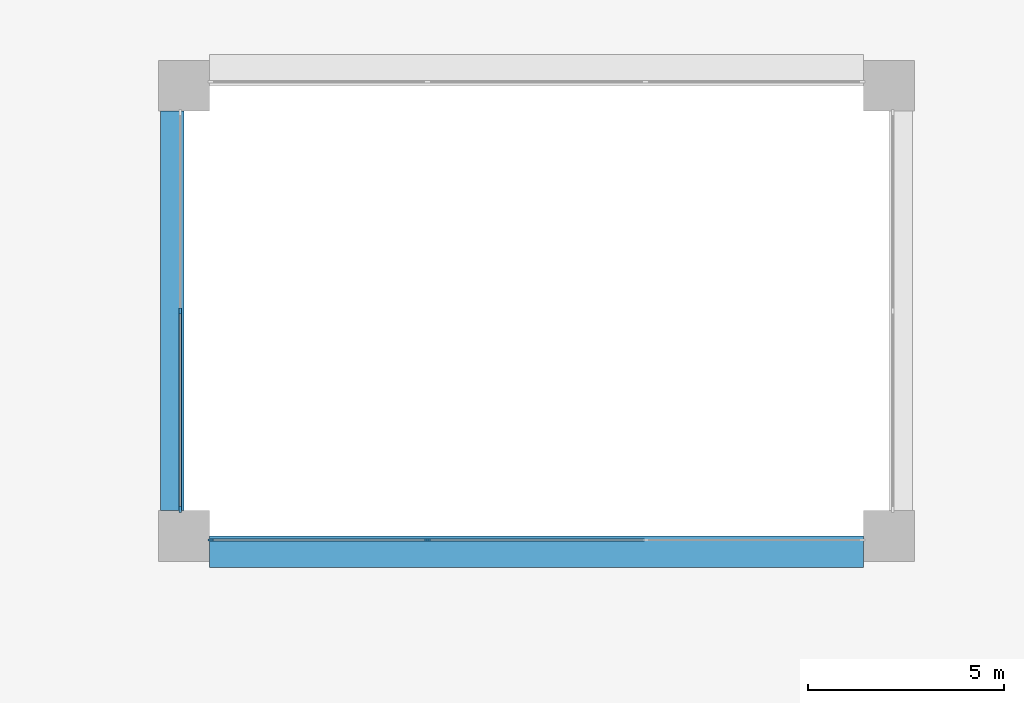
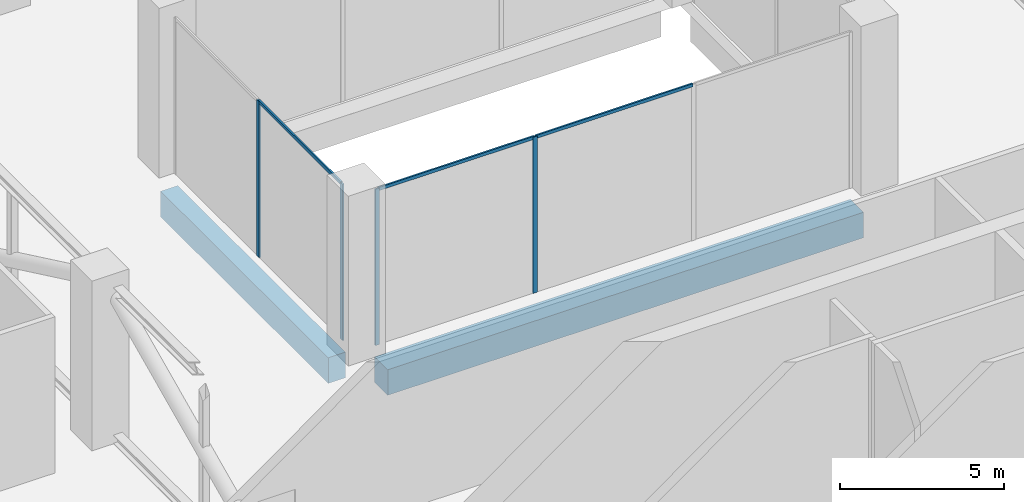
# One storey, part 3 of 14: 7 members, 2 beams, 2 elements without a shape of their own.
"""IFC4 building model written with IfcOpenShell, lengths in metres."""

import ifcopenshell
import ifcopenshell.guid

model = None  # the IFC model being written
_history = None  # IfcOwnerHistory: only IFC2X3 demands one
_inside = {}  # id of a spatial element -> (the spatial element, [elements in it])
_under = {}  # id of a project, library or spatial element -> (it, [spatial elements below it])
_declared = {}  # id of a project -> (the project, [libraries it declares])
_typed = {}  # id of a type object -> (the type object, [elements of that type])
_made_of = {}  # id of a material, layer set ... -> (it, [elements and type objects made of it])


def new_model(schema):
    """Start an empty IFC model of exactly this schema.

    Asked for "IFC4X3", IfcOpenShell would pick the latest addendum, in which some entities
    have other attributes; the version numbers below select the first issue.
    IFC2X3 requires an IfcOwnerHistory on every rooted entity: one is made here for all.
    """
    global model, _history
    if schema == "IFC4X3":
        model = ifcopenshell.file(schema_version=(4, 3, 0, 0))
    else:
        model = ifcopenshell.file(schema=schema)
    _inside.clear()
    _under.clear()
    _declared.clear()
    _typed.clear()
    _made_of.clear()
    _history = None
    if model.schema == "IFC2X3":
        org = make("IfcOrganization", Name="unknown")
        user = make(
            "IfcPersonAndOrganization",
            ThePerson=make("IfcPerson", FamilyName="unknown"),
            TheOrganization=org,
        )
        app = make(
            "IfcApplication",
            ApplicationDeveloper=org,
            Version="unknown",
            ApplicationFullName="unknown",
            ApplicationIdentifier="unknown",
        )
        _history = make(
            "IfcOwnerHistory",
            OwningUser=user,
            OwningApplication=app,
            ChangeAction="ADDED",
            CreationDate=0,
        )
    return model


def make(cls, **values):
    """One entity of the class cls with the attributes given. An attribute that is None is left unset."""
    return model.create_entity(
        cls, **{name: value for name, value in values.items() if value is not None}
    )


def rooted(cls, **values):
    """An entity with a GlobalId (a new one), such as an element, a storey or a relation."""
    return make(cls, GlobalId=ifcopenshell.guid.new(), OwnerHistory=_history, **values)


def si_unit(unit_type, name, prefix=None):
    """IfcSIUnit, for example si_unit("LENGTHUNIT", "METRE", prefix="MILLI")."""
    return make("IfcSIUnit", UnitType=unit_type, Prefix=prefix, Name=name)


def assignment(units):
    """IfcUnitAssignment: the units of a project."""
    return None if units is None else make("IfcUnitAssignment", Units=units)


def point(xyz):
    """IfcCartesianPoint."""
    return None if xyz is None else make("IfcCartesianPoint", Coordinates=xyz)


def direction(xyz):
    """IfcDirection."""
    return None if xyz is None else make("IfcDirection", DirectionRatios=xyz)


def frame(location, z_axis=None, x_axis=None):
    """IfcAxis2Placement3D, a coordinate frame: its origin and axes. An axis left out is left unset."""
    return make(
        "IfcAxis2Placement3D",
        Location=point(location),
        Axis=direction(z_axis),
        RefDirection=direction(x_axis),
    )


def frame_2d(location, x_axis=None):
    """IfcAxis2Placement2D, a coordinate frame in the plane: its origin and x axis."""
    return make(
        "IfcAxis2Placement2D", Location=point(location), RefDirection=direction(x_axis)
    )


def origin():
    """The frame at (0, 0, 0) with its axes left unset."""
    return frame((0.0, 0.0, 0.0))


def origin_2d():
    """The frame at (0, 0) in the plane with its x axis left unset."""
    return frame_2d((0.0, 0.0))


def place(relative_to, where):
    """IfcLocalPlacement: puts the frame where relative to a parent placement (None: the world)."""
    return make(
        "IfcLocalPlacement", PlacementRelTo=relative_to, RelativePlacement=where
    )


def context(
    kind, dimensions, precision=None, world=None, true_north=None, identifier=None
):
    """IfcGeometricRepresentationContext, for example the 3D "Model" context."""
    return make(
        "IfcGeometricRepresentationContext",
        ContextIdentifier=identifier,
        ContextType=kind,
        CoordinateSpaceDimension=dimensions,
        Precision=precision,
        WorldCoordinateSystem=world,
        TrueNorth=true_north,
    )


def subcontext(parent, identifier, kind, view, scale=None):
    """IfcGeometricRepresentationSubContext, for example "Body" below "Model"."""
    return make(
        "IfcGeometricRepresentationSubContext",
        ContextIdentifier=identifier,
        ContextType=kind,
        ParentContext=parent,
        TargetScale=scale,
        TargetView=view,
    )


def project(units=None, contexts=None):
    """IfcProject with its units and contexts."""
    return rooted(
        "IfcProject",
        Name="project",
        RepresentationContexts=contexts,
        UnitsInContext=assignment(units),
    )


def spatial(cls, under=None, at=None, **own):
    """A site, building, storey or space (cls), placed at a placement, below another one or the project."""
    s = rooted(cls, ObjectPlacement=at, **own)
    if under is not None:
        _under.setdefault(under.id(), (under, []))[1].append(s)
    return s


def profile(cls, at=None, kind="AREA", **sizes):
    """A parametric profile (cls). Its sizes go by their IFC names, for example OverallWidth=200.0."""
    return make(cls, ProfileType=kind, Position=at, **sizes)


def rectangle(**sizes):
    """IfcRectangleProfileDef."""
    return profile("IfcRectangleProfileDef", **sizes)


def extrude(swept, where, along, depth):
    """IfcExtrudedAreaSolid: the profile swept, set in the frame where, extruded along a direction by depth."""
    return make(
        "IfcExtrudedAreaSolid",
        SweptArea=swept,
        Position=where,
        ExtrudedDirection=direction(along),
        Depth=depth,
    )


def shape(context_of_items, identifier, shape_type, items):
    """IfcShapeRepresentation: the items that make up one representation, for example the "Body"."""
    return make(
        "IfcShapeRepresentation",
        ContextOfItems=context_of_items,
        RepresentationIdentifier=identifier,
        RepresentationType=shape_type,
        Items=items,
    )


def material(Name=None, Category=None):
    """IfcMaterial."""
    return make("IfcMaterial", Name=Name, Category=Category)


def layer(
    of_material, thickness, ventilated=None, Name=None, Category=None, Priority=None
):
    """IfcMaterialLayer: one layer of a wall or slab, of a material (None: an air gap)."""
    return make(
        "IfcMaterialLayer",
        Material=of_material,
        LayerThickness=thickness,
        IsVentilated=ventilated,
        Name=Name,
        Category=Category,
        Priority=Priority,
    )


def layer_set(layers, Name=None):
    """IfcMaterialLayerSet."""
    return make("IfcMaterialLayerSet", MaterialLayers=layers, LayerSetName=Name)


def material_profile(
    of_material, cross_section, Name=None, Category=None, Priority=None
):
    """IfcMaterialProfile: a cross section and its material."""
    return make(
        "IfcMaterialProfile",
        Name=Name,
        Material=of_material,
        Profile=cross_section,
        Priority=Priority,
        Category=Category,
    )


def profile_set(profiles, Name=None, composite=None):
    """IfcMaterialProfileSet."""
    return make(
        "IfcMaterialProfileSet",
        Name=Name,
        MaterialProfiles=profiles,
        CompositeProfile=composite,
    )


def made_of(thing, what):
    """Note that an element or type object is made of a material, layer set ...; save() writes the relation."""
    if what is not None:
        _made_of.setdefault(what.id(), (what, []))[1].append(thing)
    return thing


def type_object(cls, material=None, **own):
    """A type object (cls), such as IfcWallType, which elements share."""
    return made_of(rooted(cls, **own), material)


def element(
    cls,
    number,
    at=None,
    inside=None,
    cuts=None,
    type_object=None,
    material=None,
    context=None,
    identifier="Body",
    shape_type=None,
    held_by="IfcProductDefinitionShape",
    body=None,
    shapes=None,
    **own,
):
    """One element of the class cls, such as IfcWall. Its Tag is "e" and its number.

    at: its placement. inside: the storey or other place that contains it. cuts: it is an
    opening in that element (IfcRelVoidsElement). A single representation is given by context,
    identifier, shape_type and body (its items); several are given by shapes. held_by: the class
    of the entity that holds the representations. save() writes the other relations.
    """
    e = rooted(cls, Tag="e%d" % number, ObjectPlacement=at, **own)
    if body is not None:
        shapes = [shape(context, identifier, shape_type, body)]
    if shapes is not None:
        e.Representation = make(held_by, Representations=shapes)
    if inside is not None:
        _inside.setdefault(inside.id(), (inside, []))[1].append(e)
    if cuts is not None:
        rooted(
            "IfcRelVoidsElement", RelatingBuildingElement=cuts, RelatedOpeningElement=e
        )
    if type_object is not None:
        _typed.setdefault(type_object.id(), (type_object, []))[1].append(e)
    return made_of(e, material)


def aggregate(whole, parts):
    """IfcRelAggregates: a whole, such as a stair, and the parts it consists of."""
    return rooted("IfcRelAggregates", RelatingObject=whole, RelatedObjects=parts)


def save(model, path):
    """Write the relations noted so far, then the file.

    IfcRelAggregates (storeys below a building ...), IfcRelContainedInSpatialStructure (elements
    in a storey), IfcRelDefinesByType, IfcRelAssociatesMaterial and IfcRelDeclares: one each for
    every whole, place, type object, material and project.
    """
    for whole, parts in _under.values():
        aggregate(whole, parts)
    for where, things in _inside.values():
        rooted(
            "IfcRelContainedInSpatialStructure",
            RelatedElements=things,
            RelatingStructure=where,
        )
    for kind, things in _typed.values():
        rooted("IfcRelDefinesByType", RelatedObjects=things, RelatingType=kind)
    for what, things in _made_of.values():
        rooted("IfcRelAssociatesMaterial", RelatedObjects=things, RelatingMaterial=what)
    for by, libraries in _declared.values():
        rooted("IfcRelDeclares", RelatingContext=by, RelatedDefinitions=libraries)
    model.write(path)


model = new_model("IFC4")

# Units and contexts
model_context = context("Model", 3, precision=1e-05, world=origin(), true_north=direction((0.0, 1.0)))
body_context = subcontext(model_context, "Body", "Model", "MODEL_VIEW")
ifc_project = project(units=[si_unit("LENGTHUNIT", "METRE"), si_unit("AREAUNIT", "SQUARE_METRE"), si_unit("VOLUMEUNIT", "CUBIC_METRE"), si_unit("PLANEANGLEUNIT", "RADIAN"), si_unit("MASSUNIT", "GRAM", prefix="KILO")], contexts=[model_context])

# Site, building, storey
site_placement = place(None, origin())
site = spatial("IfcSite", under=ifc_project, at=site_placement, CompositionType="ELEMENT")
building_placement = place(site_placement, origin())
building = spatial("IfcBuilding", under=site, at=building_placement, Name="Brigalow Station Residences", CompositionType="ELEMENT")
storey_placement = place(building_placement, frame((0.0, 0.0, 130.800048828125)))
storey = spatial("IfcBuildingStorey", under=building, at=storey_placement, Name="L38", CompositionType="ELEMENT", Elevation=130.800048828125)

# Beams
ifc_material_1 = material(Name="Concrete C65", Category="concrete")
ifc_material_profile_1 = material_profile(ifc_material_1, rectangle(XDim=0.60009765625, YDim=0.949951171875, at=origin_2d()), Name="RC600x950")
ifc_profile_set_1 = profile_set([ifc_material_profile_1], Name="Concrete C65")
beam_type_1 = type_object("IfcBeamType", Name="ATRIUM EDGE GIRDER 600x950 C65", PredefinedType="BEAM", material=ifc_profile_set_1)
beam_1_placement = place(storey_placement, frame((26.699951171875, 24.64990234375, -0.97509765625), z_axis=(0.0, 1.0, 0.0), x_axis=(-1.0, 0.0, 0.0)))
element("IfcBeam", 1, at=beam_1_placement, inside=storey, type_object=beam_type_1, Name="ATRIUM EDGE GIRDER 3 L38", PredefinedType="BEAM", context=body_context, shape_type="SweptSolid", body=[
    extrude(rectangle(XDim=0.60009765625, YDim=0.949951171875, at=origin_2d()), origin(), (0.0, 0.0, 1.0), 10.2001953125),
])
ifc_material_2 = material(Name="Concrete C65", Category="concrete")
ifc_material_profile_2 = material_profile(ifc_material_2, rectangle(XDim=0.800048828125, YDim=0.949951171875, at=origin_2d()), Name="RC800x950")
ifc_profile_set_2 = profile_set([ifc_material_profile_2], Name="Concrete C65")
beam_type_2 = type_object("IfcBeamType", Name="ATRIUM EDGE GIRDER OVER 13.5 M SPAN 800x950 C65", PredefinedType="BEAM", material=ifc_profile_set_2)
beam_2_placement = place(storey_placement, frame((27.64990234375, 23.60009765625, -0.97509765625), z_axis=(1.0, 0.0, 0.0), x_axis=(0.0, 1.0, 0.0)))
element("IfcBeam", 2, at=beam_2_placement, inside=storey, type_object=beam_type_2, Name="ATRIUM EDGE GIRDER C L38", PredefinedType="BEAM", context=body_context, shape_type="SweptSolid", body=[
    extrude(rectangle(XDim=0.800048828125, YDim=0.949951171875, at=origin_2d()), origin(), (0.0, 0.0, 1.0), 16.7001953125),
])

# Curtain wall, members
ifc_material_3 = material(Name="Aluminium", Category="aluminium")
ifc_layer = layer(ifc_material_3, 0.14990234375)
ifc_layer_set = layer_set([ifc_layer], Name="ATRIUM FIRE-RATED GLAZING CURTAIN WALL")
curtain_wall_type = type_object("IfcCurtainWallType", Name="ATRIUM FIRE-RATED GLAZING CURTAIN WALL", PredefinedType="NOTDEFINED", material=ifc_layer_set)
curtain_wall_1_placement = place(storey_placement, origin())
curtain_wall_1 = element("IfcCurtainWall", 3, at=curtain_wall_1_placement, inside=storey, type_object=curtain_wall_type, Name="L38/cw/atrium-S", PredefinedType="NOTDEFINED")
ifc_material_4 = material(Name="Aluminium", Category="aluminium")
ifc_material_profile_3 = material_profile(ifc_material_4, rectangle(XDim=0.06005859375, YDim=0.14990234375, at=origin_2d()), Name="ATRIUM FIRE-RATED GLAZING MULLION 60x150")
ifc_profile_set_3 = profile_set([ifc_material_profile_3], Name="Aluminium")
member_type_1 = type_object("IfcMemberType", Name="ATRIUM FIRE-RATED GLAZING MULLION 60x150", PredefinedType="MULLION", material=ifc_profile_set_3)
member_1_placement = place(storey_placement, frame((27.679931640625, 23.89990234375, 0.0), z_axis=(0.0, 0.0, 1.0), x_axis=(0.0, 1.0, 0.0)))
member_1 = element("IfcMember", 4, at=member_1_placement, type_object=member_type_1, Name="L38/cw/atrium-S/M00", PredefinedType="MULLION", context=body_context, shape_type="SweptSolid", body=[
    extrude(rectangle(XDim=0.06005859375, YDim=0.14990234375, at=origin_2d()), origin(), (0.0, 0.0, 1.0), 5.800048828125),
])
member_2_placement = place(storey_placement, frame((33.216796875, 23.89990234375, 0.0), z_axis=(0.0, 0.0, 1.0), x_axis=(0.0, 1.0, 0.0)))
member_2 = element("IfcMember", 5, at=member_2_placement, type_object=member_type_1, Name="L38/cw/atrium-S/M01", PredefinedType="MULLION", context=body_context, shape_type="SweptSolid", body=[
    extrude(rectangle(XDim=0.06005859375, YDim=0.14990234375, at=origin_2d()), origin(), (0.0, 0.0, 1.0), 5.800048828125),
])

curtain_wall_2_placement = place(storey_placement, origin())
curtain_wall_2 = element("IfcCurtainWall", 6, at=curtain_wall_2_placement, inside=storey, type_object=curtain_wall_type, Name="L38/cw/atrium-W", PredefinedType="NOTDEFINED")
member_3_placement = place(storey_placement, frame((26.89990234375, 29.75, 0.0), z_axis=(0.0, 0.0, 1.0), x_axis=(1.0, 0.0, 0.0)))
member_3 = element("IfcMember", 7, at=member_3_placement, type_object=member_type_1, Name="L38/cw/atrium-W/M01", PredefinedType="MULLION", context=body_context, shape_type="SweptSolid", body=[
    extrude(rectangle(XDim=0.06005859375, YDim=0.14990234375, at=origin_2d()), origin(), (0.0, 0.0, 1.0), 5.800048828125),
])
member_4_placement = place(storey_placement, frame((26.89990234375, 24.679931640625, 0.0), z_axis=(0.0, 0.0, 1.0), x_axis=(1.0, 0.0, 0.0)))
member_4 = element("IfcMember", 8, at=member_4_placement, type_object=member_type_1, Name="L38/cw/atrium-W/M02", PredefinedType="MULLION", context=body_context, shape_type="SweptSolid", body=[
    extrude(rectangle(XDim=0.06005859375, YDim=0.14990234375, at=origin_2d()), origin(), (0.0, 0.0, 1.0), 5.800048828125),
])

# Member
ifc_material_5 = material(Name="Aluminium", Category="aluminium")
ifc_material_profile_4 = material_profile(ifc_material_5, rectangle(XDim=0.06005859375, YDim=0.1201171875, at=origin_2d()), Name="ATRIUM FIRE-RATED GLAZING TRANSOM 60x120")
ifc_profile_set_4 = profile_set([ifc_material_profile_4], Name="Aluminium")
member_type_2 = type_object("IfcMemberType", Name="ATRIUM FIRE-RATED GLAZING TRANSOM 60x120", PredefinedType="USERDEFINED", material=ifc_profile_set_4)
member_5_placement = place(storey_placement, frame((27.7099609375, 23.89990234375, 5.77001953125), z_axis=(1.0, 0.0, 0.0), x_axis=(0.0, 1.0, 0.0)))
member_5 = element("IfcMember", 9, at=member_5_placement, type_object=member_type_2, Name="L38/cw/atrium-S/T00-00", ObjectType="TRANSOM", PredefinedType="USERDEFINED", context=body_context, shape_type="SweptSolid", body=[
    extrude(rectangle(XDim=0.06005859375, YDim=0.1201171875, at=origin_2d()), origin(), (0.0, 0.0, 1.0), 5.476806640625),
])

member_6_placement = place(storey_placement, frame((33.24658203125, 23.89990234375, 5.77001953125), z_axis=(1.0, 0.0, 0.0), x_axis=(0.0, 1.0, 0.0)))
member_6 = element("IfcMember", 10, at=member_6_placement, type_object=member_type_2, Name="L38/cw/atrium-S/T01-00", ObjectType="TRANSOM", PredefinedType="USERDEFINED", context=body_context, shape_type="SweptSolid", body=[
    extrude(rectangle(XDim=0.06005859375, YDim=0.1201171875, at=origin_2d()), origin(), (0.0, 0.0, 1.0), 5.5068359375),
])

aggregate(curtain_wall_1, [member_1, member_2, member_5, member_6])

member_7_placement = place(storey_placement, frame((26.89990234375, 29.719970703125, 5.77001953125), z_axis=(0.0, -1.0, 0.0), x_axis=(1.0, 0.0, 0.0)))
member_7 = element("IfcMember", 11, at=member_7_placement, type_object=member_type_2, Name="L38/cw/atrium-W/T01-00", ObjectType="TRANSOM", PredefinedType="USERDEFINED", context=body_context, shape_type="SweptSolid", body=[
    extrude(rectangle(XDim=0.06005859375, YDim=0.1201171875, at=origin_2d()), origin(), (0.0, 0.0, 1.0), 5.010009765625),
])

aggregate(curtain_wall_2, [member_3, member_4, member_7])

save(model, "model.ifc")
